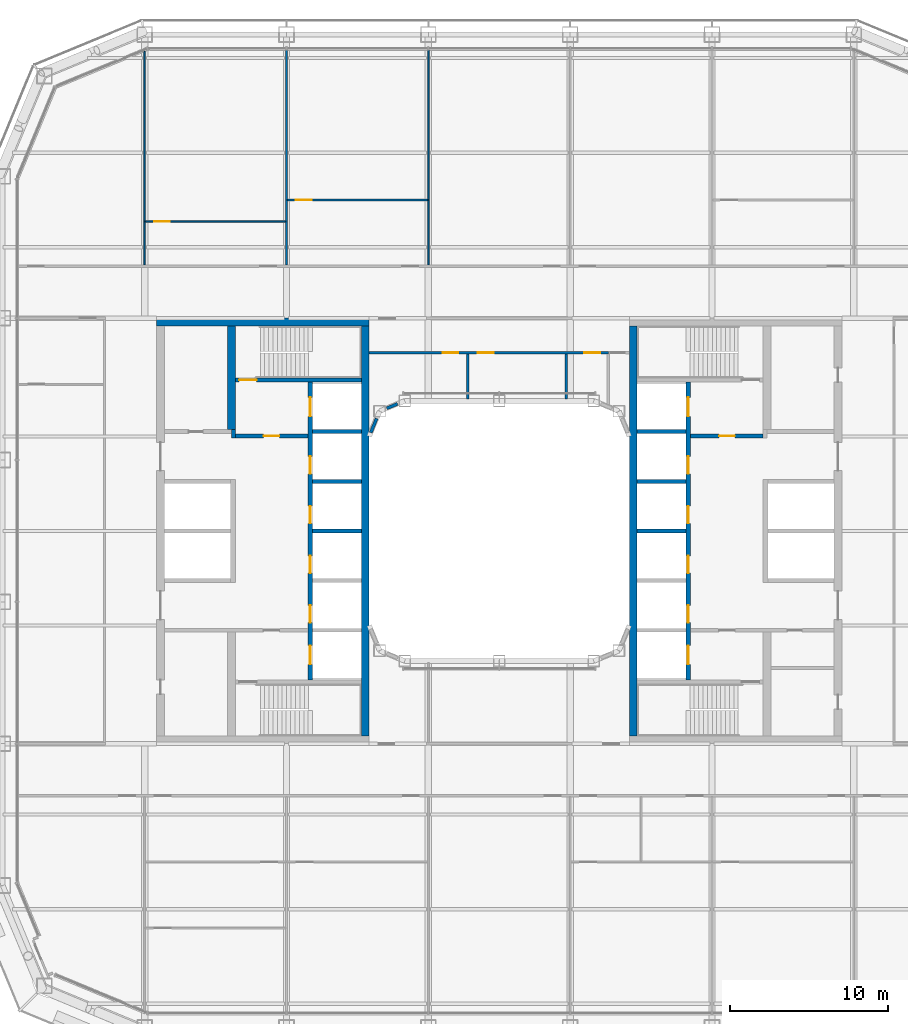
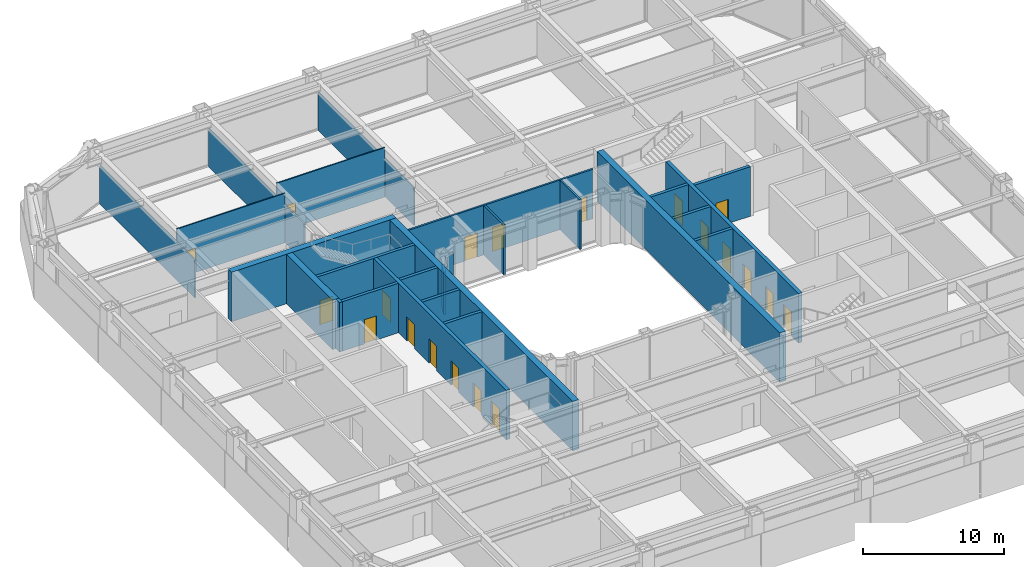
# One storey, part 15 of 27: 26 walls, 20 doors, 20 openings.
"""IFC4 building model written with IfcOpenShell, lengths in metres."""

import ifcopenshell
import ifcopenshell.guid

model = None  # the IFC model being written
_history = None  # IfcOwnerHistory: only IFC2X3 demands one
_inside = {}  # id of a spatial element -> (the spatial element, [elements in it])
_under = {}  # id of a project, library or spatial element -> (it, [spatial elements below it])
_declared = {}  # id of a project -> (the project, [libraries it declares])
_typed = {}  # id of a type object -> (the type object, [elements of that type])
_made_of = {}  # id of a material, layer set ... -> (it, [elements and type objects made of it])


def new_model(schema):
    """Start an empty IFC model of exactly this schema.

    Asked for "IFC4X3", IfcOpenShell would pick the latest addendum, in which some entities
    have other attributes; the version numbers below select the first issue.
    IFC2X3 requires an IfcOwnerHistory on every rooted entity: one is made here for all.
    """
    global model, _history
    if schema == "IFC4X3":
        model = ifcopenshell.file(schema_version=(4, 3, 0, 0))
    else:
        model = ifcopenshell.file(schema=schema)
    _inside.clear()
    _under.clear()
    _declared.clear()
    _typed.clear()
    _made_of.clear()
    _history = None
    if model.schema == "IFC2X3":
        org = make("IfcOrganization", Name="unknown")
        user = make(
            "IfcPersonAndOrganization",
            ThePerson=make("IfcPerson", FamilyName="unknown"),
            TheOrganization=org,
        )
        app = make(
            "IfcApplication",
            ApplicationDeveloper=org,
            Version="unknown",
            ApplicationFullName="unknown",
            ApplicationIdentifier="unknown",
        )
        _history = make(
            "IfcOwnerHistory",
            OwningUser=user,
            OwningApplication=app,
            ChangeAction="ADDED",
            CreationDate=0,
        )
    return model


def make(cls, **values):
    """One entity of the class cls with the attributes given. An attribute that is None is left unset."""
    return model.create_entity(
        cls, **{name: value for name, value in values.items() if value is not None}
    )


def rooted(cls, **values):
    """An entity with a GlobalId (a new one), such as an element, a storey or a relation."""
    return make(cls, GlobalId=ifcopenshell.guid.new(), OwnerHistory=_history, **values)


def si_unit(unit_type, name, prefix=None):
    """IfcSIUnit, for example si_unit("LENGTHUNIT", "METRE", prefix="MILLI")."""
    return make("IfcSIUnit", UnitType=unit_type, Prefix=prefix, Name=name)


def assignment(units):
    """IfcUnitAssignment: the units of a project."""
    return None if units is None else make("IfcUnitAssignment", Units=units)


def point(xyz):
    """IfcCartesianPoint."""
    return None if xyz is None else make("IfcCartesianPoint", Coordinates=xyz)


def direction(xyz):
    """IfcDirection."""
    return None if xyz is None else make("IfcDirection", DirectionRatios=xyz)


def frame(location, z_axis=None, x_axis=None):
    """IfcAxis2Placement3D, a coordinate frame: its origin and axes. An axis left out is left unset."""
    return make(
        "IfcAxis2Placement3D",
        Location=point(location),
        Axis=direction(z_axis),
        RefDirection=direction(x_axis),
    )


def frame_2d(location, x_axis=None):
    """IfcAxis2Placement2D, a coordinate frame in the plane: its origin and x axis."""
    return make(
        "IfcAxis2Placement2D", Location=point(location), RefDirection=direction(x_axis)
    )


def origin():
    """The frame at (0, 0, 0) with its axes left unset."""
    return frame((0.0, 0.0, 0.0))


def place(relative_to, where):
    """IfcLocalPlacement: puts the frame where relative to a parent placement (None: the world)."""
    return make(
        "IfcLocalPlacement", PlacementRelTo=relative_to, RelativePlacement=where
    )


def context(
    kind, dimensions, precision=None, world=None, true_north=None, identifier=None
):
    """IfcGeometricRepresentationContext, for example the 3D "Model" context."""
    return make(
        "IfcGeometricRepresentationContext",
        ContextIdentifier=identifier,
        ContextType=kind,
        CoordinateSpaceDimension=dimensions,
        Precision=precision,
        WorldCoordinateSystem=world,
        TrueNorth=true_north,
    )


def subcontext(parent, identifier, kind, view, scale=None):
    """IfcGeometricRepresentationSubContext, for example "Body" below "Model"."""
    return make(
        "IfcGeometricRepresentationSubContext",
        ContextIdentifier=identifier,
        ContextType=kind,
        ParentContext=parent,
        TargetScale=scale,
        TargetView=view,
    )


def project(units=None, contexts=None):
    """IfcProject with its units and contexts."""
    return rooted(
        "IfcProject",
        Name="project",
        RepresentationContexts=contexts,
        UnitsInContext=assignment(units),
    )


def spatial(cls, under=None, at=None, **own):
    """A site, building, storey or space (cls), placed at a placement, below another one or the project."""
    s = rooted(cls, ObjectPlacement=at, **own)
    if under is not None:
        _under.setdefault(under.id(), (under, []))[1].append(s)
    return s


def profile(cls, at=None, kind="AREA", **sizes):
    """A parametric profile (cls). Its sizes go by their IFC names, for example OverallWidth=200.0."""
    return make(cls, ProfileType=kind, Position=at, **sizes)


def rectangle(**sizes):
    """IfcRectangleProfileDef."""
    return profile("IfcRectangleProfileDef", **sizes)


def extrude(swept, where, along, depth):
    """IfcExtrudedAreaSolid: the profile swept, set in the frame where, extruded along a direction by depth."""
    return make(
        "IfcExtrudedAreaSolid",
        SweptArea=swept,
        Position=where,
        ExtrudedDirection=direction(along),
        Depth=depth,
    )


def shape(context_of_items, identifier, shape_type, items):
    """IfcShapeRepresentation: the items that make up one representation, for example the "Body"."""
    return make(
        "IfcShapeRepresentation",
        ContextOfItems=context_of_items,
        RepresentationIdentifier=identifier,
        RepresentationType=shape_type,
        Items=items,
    )


def material(Name=None, Category=None):
    """IfcMaterial."""
    return make("IfcMaterial", Name=Name, Category=Category)


def layer(
    of_material, thickness, ventilated=None, Name=None, Category=None, Priority=None
):
    """IfcMaterialLayer: one layer of a wall or slab, of a material (None: an air gap)."""
    return make(
        "IfcMaterialLayer",
        Material=of_material,
        LayerThickness=thickness,
        IsVentilated=ventilated,
        Name=Name,
        Category=Category,
        Priority=Priority,
    )


def layer_set(layers, Name=None):
    """IfcMaterialLayerSet."""
    return make("IfcMaterialLayerSet", MaterialLayers=layers, LayerSetName=Name)


def made_of(thing, what):
    """Note that an element or type object is made of a material, layer set ...; save() writes the relation."""
    if what is not None:
        _made_of.setdefault(what.id(), (what, []))[1].append(thing)
    return thing


def type_object(cls, material=None, **own):
    """A type object (cls), such as IfcWallType, which elements share."""
    return made_of(rooted(cls, **own), material)


def element(
    cls,
    number,
    at=None,
    inside=None,
    cuts=None,
    type_object=None,
    material=None,
    context=None,
    identifier="Body",
    shape_type=None,
    held_by="IfcProductDefinitionShape",
    body=None,
    shapes=None,
    **own,
):
    """One element of the class cls, such as IfcWall. Its Tag is "e" and its number.

    at: its placement. inside: the storey or other place that contains it. cuts: it is an
    opening in that element (IfcRelVoidsElement). A single representation is given by context,
    identifier, shape_type and body (its items); several are given by shapes. held_by: the class
    of the entity that holds the representations. save() writes the other relations.
    """
    e = rooted(cls, Tag="e%d" % number, ObjectPlacement=at, **own)
    if body is not None:
        shapes = [shape(context, identifier, shape_type, body)]
    if shapes is not None:
        e.Representation = make(held_by, Representations=shapes)
    if inside is not None:
        _inside.setdefault(inside.id(), (inside, []))[1].append(e)
    if cuts is not None:
        rooted(
            "IfcRelVoidsElement", RelatingBuildingElement=cuts, RelatedOpeningElement=e
        )
    if type_object is not None:
        _typed.setdefault(type_object.id(), (type_object, []))[1].append(e)
    return made_of(e, material)


def fill(opening, filler):
    """IfcRelFillsElement: the door or window that sits in an opening."""
    return rooted(
        "IfcRelFillsElement",
        RelatingOpeningElement=opening,
        RelatedBuildingElement=filler,
    )


def aggregate(whole, parts):
    """IfcRelAggregates: a whole, such as a stair, and the parts it consists of."""
    return rooted("IfcRelAggregates", RelatingObject=whole, RelatedObjects=parts)


def save(model, path):
    """Write the relations noted so far, then the file.

    IfcRelAggregates (storeys below a building ...), IfcRelContainedInSpatialStructure (elements
    in a storey), IfcRelDefinesByType, IfcRelAssociatesMaterial and IfcRelDeclares: one each for
    every whole, place, type object, material and project.
    """
    for whole, parts in _under.values():
        aggregate(whole, parts)
    for where, things in _inside.values():
        rooted(
            "IfcRelContainedInSpatialStructure",
            RelatedElements=things,
            RelatingStructure=where,
        )
    for kind, things in _typed.values():
        rooted("IfcRelDefinesByType", RelatedObjects=things, RelatingType=kind)
    for what, things in _made_of.values():
        rooted("IfcRelAssociatesMaterial", RelatedObjects=things, RelatingMaterial=what)
    for by, libraries in _declared.values():
        rooted("IfcRelDeclares", RelatingContext=by, RelatedDefinitions=libraries)
    model.write(path)


model = new_model("IFC4")

# Units and contexts
model_context = context("Model", 3, precision=1e-05, world=origin(), true_north=direction((0.0, 1.0)))
body_context = subcontext(model_context, "Body", "Model", "MODEL_VIEW")
ifc_project = project(units=[si_unit("LENGTHUNIT", "METRE"), si_unit("AREAUNIT", "SQUARE_METRE"), si_unit("VOLUMEUNIT", "CUBIC_METRE"), si_unit("PLANEANGLEUNIT", "RADIAN"), si_unit("MASSUNIT", "GRAM", prefix="KILO")], contexts=[model_context])

# Site, building, storey
site_placement = place(None, origin())
site = spatial("IfcSite", under=ifc_project, at=site_placement, CompositionType="ELEMENT")
building_placement = place(site_placement, origin())
building = spatial("IfcBuilding", under=site, at=building_placement, Name="Siwar Civic Tower", CompositionType="ELEMENT")
storey_placement = place(building_placement, frame((0.0, 0.0, 89.699951171875)))
storey = spatial("IfcBuildingStorey", under=building, at=storey_placement, Name="L19", CompositionType="ELEMENT", Elevation=89.699951171875)

# Wall, opening, door
ifc_material_1 = material(Name="Concrete C60/75", Category="concrete")
ifc_layer_1 = layer(ifc_material_1, 0.25)
ifc_layer_set_1 = layer_set([ifc_layer_1], Name="Concrete C60/75")
wall_type_1 = type_object("IfcWallType", Name="CORE-WALL-RC250", PredefinedType="SHEAR", material=ifc_layer_set_1)
wall_1_placement = place(storey_placement, frame((-12.14990234375, 6.02490234375, 0.0), z_axis=(0.0, 0.0, 1.0), x_axis=(-1.0, 0.0, 0.0)))
wall_1 = element("IfcWall", 1, at=wall_1_placement, inside=storey, type_object=wall_type_1, Name="Core wall W", PredefinedType="SHEAR", context=body_context, shape_type="SweptSolid", body=[
    extrude(rectangle(XDim=4.60009765625, YDim=0.25, at=frame_2d((2.300048828125, 0.0))), origin(), (0.0, 0.0, 1.0), 4.300048828125),
])
opening_1_placement = place(wall_1_placement, frame((1.800048828125, 0.0, 0.0)))
opening_1 = element("IfcOpeningElement", 2, at=opening_1_placement, cuts=wall_1, Name="Opening L19-CW01", PredefinedType="OPENING", context=body_context, shape_type="SweptSolid", body=[
    extrude(rectangle(XDim=1.0, YDim=2.10009765625, at=frame_2d((0.5, 1.050048828125))), frame((0.0, 0.135009765625, 0.0), z_axis=(0.0, -1.0, 0.0), x_axis=(1.0, 0.0, 0.0)), (0.0, 0.0, 1.0), 0.27001953125),
])
ifc_material_2 = material(Name="Steel door leaf", Category="steel")
door_type_1 = type_object("IfcDoorType", Name="CORE-DOOR-FD30S", OperationType="SINGLE_SWING_LEFT", PredefinedType="DOOR", material=ifc_material_2)
door_1_placement = place(opening_1_placement, origin())
door_1 = element("IfcDoor", 3, at=door_1_placement, inside=storey, type_object=door_type_1, Name="Firefighting lobby door L19-CW01", OperationType="SINGLE_SWING_LEFT", OverallHeight=2.10009765625, OverallWidth=1.0, PredefinedType="DOOR", context=body_context, shape_type="SweptSolid", body=[
    extrude(rectangle(XDim=1.0, YDim=2.10009765625, at=frame_2d((0.5, 1.050048828125))), frame((0.0, 0.02490234375, 0.0), z_axis=(0.0, -1.0, 0.0), x_axis=(1.0, 0.0, 0.0)), (0.0, 0.0, 1.0), 0.050048828125),
])
fill(opening_1, door_1)

# Walls
wall_2_placement = place(storey_placement, frame((-16.875, 5.89990234375, 0.0), z_axis=(0.0, 0.0, 1.0), x_axis=(0.0, 1.0, 0.0)))
element("IfcWall", 4, at=wall_2_placement, inside=storey, type_object=wall_type_1, Name="Core wall W", PredefinedType="SHEAR", context=body_context, shape_type="SweptSolid", body=[
    extrude(rectangle(XDim=0.525146484375, YDim=0.25, at=frame_2d((0.2626953125, 0.0))), origin(), (0.0, 0.0, 1.0), 4.300048828125),
])
for number, where, z_axis, x_axis, name in (
    (5, (-8.75, 0.0, 0.0), (0.0, 0.0, 1.0), (-1.0, 0.0, 0.0), "Core wall W"),
    (6, (-8.75, 3.14990234375, 0.0), (0.0, 0.0, 1.0), (-1.0, 0.0, 0.0), "Core wall W"),
    (7, (-8.75, 6.300048828125, 0.0), (0.0, 0.0, 1.0), (-1.0, 0.0, 0.0), "Core wall W"),
):
    element("IfcWall", number, at=place(storey_placement, frame(where, z_axis=z_axis, x_axis=x_axis)), inside=storey, type_object=wall_type_1, Name=name, PredefinedType="SHEAR", context=body_context, shape_type="SweptSolid", body=[
        extrude(rectangle(XDim=3.10009765625, YDim=0.25, at=frame_2d((1.550048828125, 0.0))), origin(), (0.0, 0.0, 1.0), 4.300048828125),
    ])

# Wall, opening, door
wall_3_placement = place(storey_placement, frame((-8.75, 9.574951171875, 0.0), z_axis=(0.0, 0.0, 1.0), x_axis=(-1.0, 0.0, 0.0)))
wall_3 = element("IfcWall", 8, at=wall_3_placement, inside=storey, type_object=wall_type_1, Name="Core wall W", PredefinedType="SHEAR", context=body_context, shape_type="SweptSolid", body=[
    extrude(rectangle(XDim=8.0, YDim=0.25, at=frame_2d((4.0, 0.0))), origin(), (0.0, 0.0, 1.0), 4.300048828125),
])
opening_2_placement = place(wall_3_placement, frame((6.64990234375, 0.0, 0.0)))
opening_2 = element("IfcOpeningElement", 9, at=opening_2_placement, cuts=wall_3, Name="Opening L19-CW03", PredefinedType="OPENING", context=body_context, shape_type="SweptSolid", body=[
    extrude(rectangle(XDim=1.10009765625, YDim=2.10009765625, at=frame_2d((0.550048828125, 1.050048828125))), frame((0.0, 0.135009765625, 0.0), z_axis=(0.0, -1.0, 0.0), x_axis=(1.0, 0.0, 0.0)), (0.0, 0.0, 1.0), 0.27001953125),
])
ifc_material_3 = material(Name="Steel door leaf", Category="steel")
door_type_2 = type_object("IfcDoorType", Name="CORE-DOOR-FD60S", OperationType="SINGLE_SWING_LEFT", PredefinedType="DOOR", material=ifc_material_3)
door_2_placement = place(opening_2_placement, origin())
door_2 = element("IfcDoor", 10, at=door_2_placement, inside=storey, type_object=door_type_2, Name="Stair door L19-CW03", OperationType="SINGLE_SWING_RIGHT", OverallHeight=2.10009765625, OverallWidth=1.10009765625, PredefinedType="DOOR", context=body_context, shape_type="SweptSolid", body=[
    extrude(rectangle(XDim=1.10009765625, YDim=2.10009765625, at=frame_2d((0.550048828125, 1.050048828125))), frame((0.0, 0.02490234375, 0.0), z_axis=(0.0, -1.0, 0.0), x_axis=(1.0, 0.0, 0.0)), (0.0, 0.0, 1.0), 0.050048828125),
])
fill(opening_2, door_2)

wall_4_placement = place(storey_placement, frame((12.14990234375, 6.02490234375, 0.0), z_axis=(0.0, 0.0, 1.0), x_axis=(1.0, 0.0, 0.0)))
wall_4 = element("IfcWall", 11, at=wall_4_placement, inside=storey, type_object=wall_type_1, Name="Core wall E", PredefinedType="SHEAR", context=body_context, shape_type="SweptSolid", body=[
    extrude(rectangle(XDim=4.60009765625, YDim=0.25, at=frame_2d((2.300048828125, 0.0))), origin(), (0.0, 0.0, 1.0), 4.300048828125),
])
opening_3_placement = place(wall_4_placement, frame((1.800048828125, 0.0, 0.0)))
opening_3 = element("IfcOpeningElement", 12, at=opening_3_placement, cuts=wall_4, Name="Opening L19-CE01", PredefinedType="OPENING", context=body_context, shape_type="SweptSolid", body=[
    extrude(rectangle(XDim=1.0, YDim=2.10009765625, at=frame_2d((0.5, 1.050048828125))), frame((0.0, 0.135009765625, 0.0), z_axis=(0.0, -1.0, 0.0), x_axis=(1.0, 0.0, 0.0)), (0.0, 0.0, 1.0), 0.27001953125),
])
door_3_placement = place(opening_3_placement, origin())
door_3 = element("IfcDoor", 13, at=door_3_placement, inside=storey, type_object=door_type_1, Name="Firefighting lobby door L19-CE01", OperationType="SINGLE_SWING_RIGHT", OverallHeight=2.10009765625, OverallWidth=1.0, PredefinedType="DOOR", context=body_context, shape_type="SweptSolid", body=[
    extrude(rectangle(XDim=1.0, YDim=2.10009765625, at=frame_2d((0.5, 1.050048828125))), frame((0.0, 0.02490234375, 0.0), z_axis=(0.0, -1.0, 0.0), x_axis=(1.0, 0.0, 0.0)), (0.0, 0.0, 1.0), 0.050048828125),
])
fill(opening_3, door_3)

# Walls
for number, where, z_axis, x_axis, name in (
    (14, (8.75, 0.0, 0.0), (0.0, 0.0, 1.0), (1.0, 0.0, 0.0), "Core wall E"),
    (15, (8.75, 3.14990234375, 0.0), (0.0, 0.0, 1.0), (1.0, 0.0, 0.0), "Core wall E"),
    (16, (8.75, 6.300048828125, 0.0), (0.0, 0.0, 1.0), (1.0, 0.0, 0.0), "Core wall E"),
):
    element("IfcWall", number, at=place(storey_placement, frame(where, z_axis=z_axis, x_axis=x_axis)), inside=storey, type_object=wall_type_1, Name=name, PredefinedType="SHEAR", context=body_context, shape_type="SweptSolid", body=[
        extrude(rectangle(XDim=3.10009765625, YDim=0.25, at=frame_2d((1.550048828125, 0.0))), origin(), (0.0, 0.0, 1.0), 4.300048828125),
    ])

# Wall, openings, doors
ifc_material_4 = material(Name="Concrete C60/75", Category="concrete")
ifc_layer_2 = layer(ifc_material_4, 0.300048828125)
ifc_layer_set_2 = layer_set([ifc_layer_2], Name="Concrete C60/75")
wall_type_2 = type_object("IfcWallType", Name="CORE-WALL-RC300", PredefinedType="SHEAR", material=ifc_layer_set_2)
wall_5_placement = place(storey_placement, frame((-12.0, -9.449951171875, 0.0), z_axis=(0.0, 0.0, 1.0), x_axis=(0.0, 1.0, 0.0)))
wall_5 = element("IfcWall", 17, at=wall_5_placement, inside=storey, type_object=wall_type_2, Name="Core wall W", PredefinedType="SHEAR", context=body_context, shape_type="SweptSolid", body=[
    extrude(rectangle(XDim=18.89990234375, YDim=0.300048828125, at=frame_2d((9.449951171875, 0.0))), origin(), (0.0, 0.0, 1.0), 4.300048828125),
])
opening_4_placement = place(wall_5_placement, frame((3.625, 0.0, 0.0)))
opening_4 = element("IfcOpeningElement", 18, at=opening_4_placement, cuts=wall_5, Name="Opening L19-CW07", PredefinedType="OPENING", context=body_context, shape_type="SweptSolid", body=[
    extrude(rectangle(XDim=1.10009765625, YDim=2.10009765625, at=frame_2d((0.550048828125, 1.050048828125))), frame((0.0, 0.16015625, 0.0), z_axis=(0.0, -1.0, 0.0), x_axis=(1.0, 0.0, 0.0)), (0.0, 0.0, 1.0), 0.320068359375),
])
opening_5_placement = place(wall_5_placement, frame((6.77490234375, 0.0, 0.0)))
opening_5 = element("IfcOpeningElement", 19, at=opening_5_placement, cuts=wall_5, Name="Opening L19-CW08", PredefinedType="OPENING", context=body_context, shape_type="SweptSolid", body=[
    extrude(rectangle(XDim=1.10009765625, YDim=2.10009765625, at=frame_2d((0.550048828125, 1.050048828125))), frame((0.0, 0.16015625, 0.0), z_axis=(0.0, -1.0, 0.0), x_axis=(1.0, 0.0, 0.0)), (0.0, 0.0, 1.0), 0.320068359375),
])
opening_6_placement = place(wall_5_placement, frame((9.925048828125, 0.0, 0.0)))
opening_6 = element("IfcOpeningElement", 20, at=opening_6_placement, cuts=wall_5, Name="Opening L19-CW09", PredefinedType="OPENING", context=body_context, shape_type="SweptSolid", body=[
    extrude(rectangle(XDim=1.10009765625, YDim=2.10009765625, at=frame_2d((0.550048828125, 1.050048828125))), frame((0.0, 0.16015625, 0.0), z_axis=(0.0, -1.0, 0.0), x_axis=(1.0, 0.0, 0.0)), (0.0, 0.0, 1.0), 0.320068359375),
])
opening_7_placement = place(wall_5_placement, frame((13.074951171875, 0.0, 0.0)))
opening_7 = element("IfcOpeningElement", 21, at=opening_7_placement, cuts=wall_5, Name="Opening L19-CW10", PredefinedType="OPENING", context=body_context, shape_type="SweptSolid", body=[
    extrude(rectangle(XDim=1.10009765625, YDim=2.10009765625, at=frame_2d((0.550048828125, 1.050048828125))), frame((0.0, 0.16015625, 0.0), z_axis=(0.0, -1.0, 0.0), x_axis=(1.0, 0.0, 0.0)), (0.0, 0.0, 1.0), 0.320068359375),
])
opening_8_placement = place(wall_5_placement, frame((16.72509765625, 0.0, 0.0)))
opening_8 = element("IfcOpeningElement", 22, at=opening_8_placement, cuts=wall_5, Name="Opening L19-CW11", PredefinedType="OPENING", context=body_context, shape_type="SweptSolid", body=[
    extrude(rectangle(XDim=1.199951171875, YDim=2.10009765625, at=frame_2d((0.60009765625, 1.050048828125))), frame((0.0, 0.16015625, 0.0), z_axis=(0.0, -1.0, 0.0), x_axis=(1.0, 0.0, 0.0)), (0.0, 0.0, 1.0), 0.320068359375),
])
opening_9_placement = place(wall_5_placement, frame((0.97509765625, 0.0, 0.0)))
opening_9 = element("IfcOpeningElement", 23, at=opening_9_placement, cuts=wall_5, Name="Opening L19-CW12", PredefinedType="OPENING", context=body_context, shape_type="SweptSolid", body=[
    extrude(rectangle(XDim=1.199951171875, YDim=2.10009765625, at=frame_2d((0.60009765625, 1.050048828125))), frame((0.0, 0.16015625, 0.0), z_axis=(0.0, -1.0, 0.0), x_axis=(1.0, 0.0, 0.0)), (0.0, 0.0, 1.0), 0.320068359375),
])
ifc_material_5 = material(Name="Steel door leaf", Category="steel")
door_type_3 = type_object("IfcDoorType", Name="CORE-DOOR-LD", OperationType="DOUBLE_DOOR_SLIDING", PredefinedType="DOOR", material=ifc_material_5)
door_4_placement = place(opening_4_placement, origin())
door_4 = element("IfcDoor", 24, at=door_4_placement, inside=storey, type_object=door_type_3, Name="Landing door LR1 L19-CW07", OperationType="DOUBLE_DOOR_SLIDING", OverallHeight=2.10009765625, OverallWidth=1.10009765625, PredefinedType="DOOR", context=body_context, shape_type="SweptSolid", body=[
    extrude(rectangle(XDim=1.10009765625, YDim=2.10009765625, at=frame_2d((0.550048828125, 1.050048828125))), frame((0.0, 0.02490234375, 0.0), z_axis=(0.0, -1.0, 0.0), x_axis=(1.0, 0.0, 0.0)), (0.0, 0.0, 1.0), 0.050048828125),
])
fill(opening_4, door_4)
door_5_placement = place(opening_5_placement, origin())
door_5 = element("IfcDoor", 25, at=door_5_placement, inside=storey, type_object=door_type_3, Name="Landing door LR2 L19-CW08", OperationType="DOUBLE_DOOR_SLIDING", OverallHeight=2.10009765625, OverallWidth=1.10009765625, PredefinedType="DOOR", context=body_context, shape_type="SweptSolid", body=[
    extrude(rectangle(XDim=1.10009765625, YDim=2.10009765625, at=frame_2d((0.550048828125, 1.050048828125))), frame((0.0, 0.02490234375, 0.0), z_axis=(0.0, -1.0, 0.0), x_axis=(1.0, 0.0, 0.0)), (0.0, 0.0, 1.0), 0.050048828125),
])
fill(opening_5, door_5)
door_6_placement = place(opening_6_placement, origin())
door_6 = element("IfcDoor", 26, at=door_6_placement, inside=storey, type_object=door_type_3, Name="Landing door LR3 L19-CW09", OperationType="DOUBLE_DOOR_SLIDING", OverallHeight=2.10009765625, OverallWidth=1.10009765625, PredefinedType="DOOR", context=body_context, shape_type="SweptSolid", body=[
    extrude(rectangle(XDim=1.10009765625, YDim=2.10009765625, at=frame_2d((0.550048828125, 1.050048828125))), frame((0.0, 0.02490234375, 0.0), z_axis=(0.0, -1.0, 0.0), x_axis=(1.0, 0.0, 0.0)), (0.0, 0.0, 1.0), 0.050048828125),
])
fill(opening_6, door_6)
door_7_placement = place(opening_7_placement, origin())
door_7 = element("IfcDoor", 27, at=door_7_placement, inside=storey, type_object=door_type_3, Name="Landing door LR4 L19-CW10", OperationType="DOUBLE_DOOR_SLIDING", OverallHeight=2.10009765625, OverallWidth=1.10009765625, PredefinedType="DOOR", context=body_context, shape_type="SweptSolid", body=[
    extrude(rectangle(XDim=1.10009765625, YDim=2.10009765625, at=frame_2d((0.550048828125, 1.050048828125))), frame((0.0, 0.02490234375, 0.0), z_axis=(0.0, -1.0, 0.0), x_axis=(1.0, 0.0, 0.0)), (0.0, 0.0, 1.0), 0.050048828125),
])
fill(opening_7, door_7)
ifc_material_6 = material(Name="Steel door leaf", Category="steel")
door_type_4 = type_object("IfcDoorType", Name="CORE-DOOR-LDW", OperationType="DOUBLE_DOOR_SLIDING", PredefinedType="DOOR", material=ifc_material_6)
door_8_placement = place(opening_8_placement, origin())
door_8 = element("IfcDoor", 28, at=door_8_placement, inside=storey, type_object=door_type_4, Name="Landing door FF1 L19-CW11", OperationType="DOUBLE_DOOR_SLIDING", OverallHeight=2.10009765625, OverallWidth=1.199951171875, PredefinedType="DOOR", context=body_context, shape_type="SweptSolid", body=[
    extrude(rectangle(XDim=1.199951171875, YDim=2.10009765625, at=frame_2d((0.60009765625, 1.050048828125))), frame((0.0, 0.02490234375, 0.0), z_axis=(0.0, -1.0, 0.0), x_axis=(1.0, 0.0, 0.0)), (0.0, 0.0, 1.0), 0.050048828125),
])
fill(opening_8, door_8)
door_9_placement = place(opening_9_placement, origin())
door_9 = element("IfcDoor", 29, at=door_9_placement, inside=storey, type_object=door_type_4, Name="Landing door SV1 L19-CW12", OperationType="DOUBLE_DOOR_SLIDING", OverallHeight=2.10009765625, OverallWidth=1.199951171875, PredefinedType="DOOR", context=body_context, shape_type="SweptSolid", body=[
    extrude(rectangle(XDim=1.199951171875, YDim=2.10009765625, at=frame_2d((0.60009765625, 1.050048828125))), frame((0.0, 0.02490234375, 0.0), z_axis=(0.0, -1.0, 0.0), x_axis=(1.0, 0.0, 0.0)), (0.0, 0.0, 1.0), 0.050048828125),
])
fill(opening_9, door_9)

wall_6_placement = place(storey_placement, frame((12.0, -9.449951171875, 0.0), z_axis=(0.0, 0.0, 1.0), x_axis=(0.0, 1.0, 0.0)))
wall_6 = element("IfcWall", 30, at=wall_6_placement, inside=storey, type_object=wall_type_2, Name="Core wall E", PredefinedType="SHEAR", context=body_context, shape_type="SweptSolid", body=[
    extrude(rectangle(XDim=18.89990234375, YDim=0.300048828125, at=frame_2d((9.449951171875, 0.0))), origin(), (0.0, 0.0, 1.0), 4.300048828125),
])
opening_10_placement = place(wall_6_placement, frame((3.625, 0.0, 0.0)))
opening_10 = element("IfcOpeningElement", 31, at=opening_10_placement, cuts=wall_6, Name="Opening L19-CE07", PredefinedType="OPENING", context=body_context, shape_type="SweptSolid", body=[
    extrude(rectangle(XDim=1.10009765625, YDim=2.10009765625, at=frame_2d((0.550048828125, 1.050048828125))), frame((0.0, 0.16015625, 0.0), z_axis=(0.0, -1.0, 0.0), x_axis=(1.0, 0.0, 0.0)), (0.0, 0.0, 1.0), 0.320068359375),
])
opening_11_placement = place(wall_6_placement, frame((6.77490234375, 0.0, 0.0)))
opening_11 = element("IfcOpeningElement", 32, at=opening_11_placement, cuts=wall_6, Name="Opening L19-CE08", PredefinedType="OPENING", context=body_context, shape_type="SweptSolid", body=[
    extrude(rectangle(XDim=1.10009765625, YDim=2.10009765625, at=frame_2d((0.550048828125, 1.050048828125))), frame((0.0, 0.16015625, 0.0), z_axis=(0.0, -1.0, 0.0), x_axis=(1.0, 0.0, 0.0)), (0.0, 0.0, 1.0), 0.320068359375),
])
opening_12_placement = place(wall_6_placement, frame((9.925048828125, 0.0, 0.0)))
opening_12 = element("IfcOpeningElement", 33, at=opening_12_placement, cuts=wall_6, Name="Opening L19-CE09", PredefinedType="OPENING", context=body_context, shape_type="SweptSolid", body=[
    extrude(rectangle(XDim=1.10009765625, YDim=2.10009765625, at=frame_2d((0.550048828125, 1.050048828125))), frame((0.0, 0.16015625, 0.0), z_axis=(0.0, -1.0, 0.0), x_axis=(1.0, 0.0, 0.0)), (0.0, 0.0, 1.0), 0.320068359375),
])
opening_13_placement = place(wall_6_placement, frame((13.074951171875, 0.0, 0.0)))
opening_13 = element("IfcOpeningElement", 34, at=opening_13_placement, cuts=wall_6, Name="Opening L19-CE10", PredefinedType="OPENING", context=body_context, shape_type="SweptSolid", body=[
    extrude(rectangle(XDim=1.10009765625, YDim=2.10009765625, at=frame_2d((0.550048828125, 1.050048828125))), frame((0.0, 0.16015625, 0.0), z_axis=(0.0, -1.0, 0.0), x_axis=(1.0, 0.0, 0.0)), (0.0, 0.0, 1.0), 0.320068359375),
])
opening_14_placement = place(wall_6_placement, frame((16.72509765625, 0.0, 0.0)))
opening_14 = element("IfcOpeningElement", 35, at=opening_14_placement, cuts=wall_6, Name="Opening L19-CE11", PredefinedType="OPENING", context=body_context, shape_type="SweptSolid", body=[
    extrude(rectangle(XDim=1.199951171875, YDim=2.10009765625, at=frame_2d((0.60009765625, 1.050048828125))), frame((0.0, 0.16015625, 0.0), z_axis=(0.0, -1.0, 0.0), x_axis=(1.0, 0.0, 0.0)), (0.0, 0.0, 1.0), 0.320068359375),
])
opening_15_placement = place(wall_6_placement, frame((0.97509765625, 0.0, 0.0)))
opening_15 = element("IfcOpeningElement", 36, at=opening_15_placement, cuts=wall_6, Name="Opening L19-CE12", PredefinedType="OPENING", context=body_context, shape_type="SweptSolid", body=[
    extrude(rectangle(XDim=1.199951171875, YDim=2.10009765625, at=frame_2d((0.60009765625, 1.050048828125))), frame((0.0, 0.16015625, 0.0), z_axis=(0.0, -1.0, 0.0), x_axis=(1.0, 0.0, 0.0)), (0.0, 0.0, 1.0), 0.320068359375),
])
door_10_placement = place(opening_10_placement, origin())
door_10 = element("IfcDoor", 37, at=door_10_placement, inside=storey, type_object=door_type_3, Name="Landing door LR5 L19-CE07", OperationType="DOUBLE_DOOR_SLIDING", OverallHeight=2.10009765625, OverallWidth=1.10009765625, PredefinedType="DOOR", context=body_context, shape_type="SweptSolid", body=[
    extrude(rectangle(XDim=1.10009765625, YDim=2.10009765625, at=frame_2d((0.550048828125, 1.050048828125))), frame((0.0, 0.02490234375, 0.0), z_axis=(0.0, -1.0, 0.0), x_axis=(1.0, 0.0, 0.0)), (0.0, 0.0, 1.0), 0.050048828125),
])
fill(opening_10, door_10)
door_11_placement = place(opening_11_placement, origin())
door_11 = element("IfcDoor", 38, at=door_11_placement, inside=storey, type_object=door_type_3, Name="Landing door LR6 L19-CE08", OperationType="DOUBLE_DOOR_SLIDING", OverallHeight=2.10009765625, OverallWidth=1.10009765625, PredefinedType="DOOR", context=body_context, shape_type="SweptSolid", body=[
    extrude(rectangle(XDim=1.10009765625, YDim=2.10009765625, at=frame_2d((0.550048828125, 1.050048828125))), frame((0.0, 0.02490234375, 0.0), z_axis=(0.0, -1.0, 0.0), x_axis=(1.0, 0.0, 0.0)), (0.0, 0.0, 1.0), 0.050048828125),
])
fill(opening_11, door_11)
door_12_placement = place(opening_12_placement, origin())
door_12 = element("IfcDoor", 39, at=door_12_placement, inside=storey, type_object=door_type_3, Name="Landing door LR7 L19-CE09", OperationType="DOUBLE_DOOR_SLIDING", OverallHeight=2.10009765625, OverallWidth=1.10009765625, PredefinedType="DOOR", context=body_context, shape_type="SweptSolid", body=[
    extrude(rectangle(XDim=1.10009765625, YDim=2.10009765625, at=frame_2d((0.550048828125, 1.050048828125))), frame((0.0, 0.02490234375, 0.0), z_axis=(0.0, -1.0, 0.0), x_axis=(1.0, 0.0, 0.0)), (0.0, 0.0, 1.0), 0.050048828125),
])
fill(opening_12, door_12)
door_13_placement = place(opening_13_placement, origin())
door_13 = element("IfcDoor", 40, at=door_13_placement, inside=storey, type_object=door_type_3, Name="Landing door LR8 L19-CE10", OperationType="DOUBLE_DOOR_SLIDING", OverallHeight=2.10009765625, OverallWidth=1.10009765625, PredefinedType="DOOR", context=body_context, shape_type="SweptSolid", body=[
    extrude(rectangle(XDim=1.10009765625, YDim=2.10009765625, at=frame_2d((0.550048828125, 1.050048828125))), frame((0.0, 0.02490234375, 0.0), z_axis=(0.0, -1.0, 0.0), x_axis=(1.0, 0.0, 0.0)), (0.0, 0.0, 1.0), 0.050048828125),
])
fill(opening_13, door_13)
door_14_placement = place(opening_14_placement, origin())
door_14 = element("IfcDoor", 41, at=door_14_placement, inside=storey, type_object=door_type_4, Name="Landing door FF2 L19-CE11", OperationType="DOUBLE_DOOR_SLIDING", OverallHeight=2.10009765625, OverallWidth=1.199951171875, PredefinedType="DOOR", context=body_context, shape_type="SweptSolid", body=[
    extrude(rectangle(XDim=1.199951171875, YDim=2.10009765625, at=frame_2d((0.60009765625, 1.050048828125))), frame((0.0, 0.02490234375, 0.0), z_axis=(0.0, -1.0, 0.0), x_axis=(1.0, 0.0, 0.0)), (0.0, 0.0, 1.0), 0.050048828125),
])
fill(opening_14, door_14)
door_15_placement = place(opening_15_placement, origin())
door_15 = element("IfcDoor", 42, at=door_15_placement, inside=storey, type_object=door_type_4, Name="Landing door SV2 L19-CE12", OperationType="DOUBLE_DOOR_SLIDING", OverallHeight=2.10009765625, OverallWidth=1.199951171875, PredefinedType="DOOR", context=body_context, shape_type="SweptSolid", body=[
    extrude(rectangle(XDim=1.199951171875, YDim=2.10009765625, at=frame_2d((0.60009765625, 1.050048828125))), frame((0.0, 0.02490234375, 0.0), z_axis=(0.0, -1.0, 0.0), x_axis=(1.0, 0.0, 0.0)), (0.0, 0.0, 1.0), 0.050048828125),
])
fill(opening_15, door_15)

# Walls
ifc_material_7 = material(Name="Concrete C60/75", Category="concrete")
ifc_layer_3 = layer(ifc_material_7, 0.5)
ifc_layer_set_3 = layer_set([ifc_layer_3], Name="Concrete C60/75")
wall_type_3 = type_object("IfcWallType", Name="CORE-WALL-RC500", PredefinedType="SHEAR", material=ifc_layer_set_3)
wall_7_placement = place(storey_placement, frame((-17.0, 6.425048828125, 0.0), z_axis=(0.0, 0.0, 1.0), x_axis=(0.0, 1.0, 0.0)))
element("IfcWall", 43, at=wall_7_placement, inside=storey, type_object=wall_type_3, Name="Core wall W", PredefinedType="SHEAR", context=body_context, shape_type="SweptSolid", body=[
    extrude(rectangle(XDim=6.574951171875, YDim=0.5, at=frame_2d((3.28759765625, 0.0))), origin(), (0.0, 0.0, 1.0), 4.300048828125),
])
wall_8_placement = place(storey_placement, frame((-8.25, 13.25, 0.0), z_axis=(0.0, 0.0, 1.0), x_axis=(-1.0, 0.0, 0.0)))
element("IfcWall", 44, at=wall_8_placement, inside=storey, type_object=wall_type_3, Name="Core wall W", PredefinedType="SHEAR", context=body_context, shape_type="SweptSolid", body=[
    extrude(rectangle(XDim=13.5, YDim=0.5, at=frame_2d((6.75, 0.0))), origin(), (0.0, 0.0, 1.0), 4.300048828125),
])
ifc_material_8 = material(Name="Concrete C60/75", Category="concrete")
ifc_layer_4 = layer(ifc_material_8, 0.5)
ifc_layer_set_4 = layer_set([ifc_layer_4], Name="Concrete C60/75")
wall_type_4 = type_object("IfcWallType", Name="CORE-WALL-RC500-EXT", PredefinedType="SHEAR", material=ifc_layer_set_4)
for number, where, z_axis, x_axis, name in (
    (45, (-8.5, -13.0, 0.0), (0.0, 0.0, 1.0), (0.0, 1.0, 0.0), "Core wall W"),
    (46, (8.5, -13.0, 0.0), (0.0, 0.0, 1.0), (0.0, 1.0, 0.0), "Core wall E"),
):
    element("IfcWall", number, at=place(storey_placement, frame(where, z_axis=z_axis, x_axis=x_axis)), inside=storey, type_object=wall_type_4, Name=name, PredefinedType="SHEAR", context=body_context, shape_type="SweptSolid", body=[
        extrude(rectangle(XDim=26.0, YDim=0.5, at=frame_2d((13.0, 0.0))), origin(), (0.0, 0.0, 1.0), 4.300048828125),
    ])

# Wall, openings, doors
ifc_material_9 = material(Name="Gypsum board on steel studs", Category="steel")
ifc_layer_5 = layer(ifc_material_9, 0.14990234375)
ifc_layer_set_5 = layer_set([ifc_layer_5], Name="Gypsum board on steel studs")
wall_type_5 = type_object("IfcWallType", Name="CORRIDOR PARTITION 150 EI 30", PredefinedType="PARTITIONING", material=ifc_layer_set_5)
wall_9_placement = place(storey_placement, frame((-8.25, 11.300048828125, 0.0), z_axis=(0.0, 0.0, 1.0), x_axis=(1.0, 0.0, 0.0)))
wall_9 = element("IfcWall", 47, at=wall_9_placement, inside=storey, type_object=wall_type_5, Name="L19/wall/P09", PredefinedType="PARTITIONING", context=body_context, shape_type="SweptSolid", body=[
    extrude(rectangle(XDim=15.169921875, YDim=0.14990234375, at=frame_2d((7.5849609375, 0.0))), origin(), (0.0, 0.0, 1.0), 4.300048828125),
])
opening_16_placement = place(wall_9_placement, frame((4.64990234375, 0.0, 0.0)))
opening_16 = element("IfcOpeningElement", 48, at=opening_16_placement, cuts=wall_9, Name="Opening D3", PredefinedType="OPENING", context=body_context, shape_type="SweptSolid", body=[
    extrude(rectangle(XDim=1.0, YDim=2.10009765625, at=frame_2d((0.5, 1.050048828125))), frame((0.0, 0.0849609375, 0.0), z_axis=(0.0, -1.0, 0.0), x_axis=(1.0, 0.0, 0.0)), (0.0, 0.0, 1.0), 0.169921875),
])
opening_17_placement = place(wall_9_placement, frame((6.89990234375, 0.0, 0.0)))
opening_17 = element("IfcOpeningElement", 49, at=opening_17_placement, cuts=wall_9, Name="Opening D3", PredefinedType="OPENING", context=body_context, shape_type="SweptSolid", body=[
    extrude(rectangle(XDim=1.0, YDim=2.10009765625, at=frame_2d((0.5, 1.050048828125))), frame((0.0, 0.0849609375, 0.0), z_axis=(0.0, -1.0, 0.0), x_axis=(1.0, 0.0, 0.0)), (0.0, 0.0, 1.0), 0.169921875),
])
opening_18_placement = place(wall_9_placement, frame((13.64990234375, 0.0, 0.0)))
opening_18 = element("IfcOpeningElement", 50, at=opening_18_placement, cuts=wall_9, Name="Opening D3", PredefinedType="OPENING", context=body_context, shape_type="SweptSolid", body=[
    extrude(rectangle(XDim=1.0, YDim=2.10009765625, at=frame_2d((0.5, 1.050048828125))), frame((0.0, 0.0849609375, 0.0), z_axis=(0.0, -1.0, 0.0), x_axis=(1.0, 0.0, 0.0)), (0.0, 0.0, 1.0), 0.169921875),
])
ifc_material_10 = material(Name="Timber, painted", Category="wood")
door_type_5 = type_object("IfcDoorType", Name="DOOR 1000 X 2100 WC", OperationType="SINGLE_SWING_LEFT", PredefinedType="DOOR", material=ifc_material_10)
door_16_placement = place(opening_16_placement, origin())
door_16 = element("IfcDoor", 51, at=door_16_placement, inside=storey, type_object=door_type_5, Name="L19-D28", OperationType="SINGLE_SWING_RIGHT", OverallHeight=2.10009765625, OverallWidth=1.0, PredefinedType="DOOR", context=body_context, shape_type="SweptSolid", body=[
    extrude(rectangle(XDim=1.0, YDim=2.10009765625, at=frame_2d((0.5, 1.050048828125))), frame((0.0, 0.02490234375, 0.0), z_axis=(0.0, -1.0, 0.0), x_axis=(1.0, 0.0, 0.0)), (0.0, 0.0, 1.0), 0.050048828125),
])
fill(opening_16, door_16)
door_17_placement = place(opening_17_placement, origin())
door_17 = element("IfcDoor", 52, at=door_17_placement, inside=storey, type_object=door_type_5, Name="L19-D29", OperationType="SINGLE_SWING_LEFT", OverallHeight=2.10009765625, OverallWidth=1.0, PredefinedType="DOOR", context=body_context, shape_type="SweptSolid", body=[
    extrude(rectangle(XDim=1.0, YDim=2.10009765625, at=frame_2d((0.5, 1.050048828125))), frame((0.0, 0.02490234375, 0.0), z_axis=(0.0, -1.0, 0.0), x_axis=(1.0, 0.0, 0.0)), (0.0, 0.0, 1.0), 0.050048828125),
])
fill(opening_17, door_17)
door_18_placement = place(opening_18_placement, origin())
door_18 = element("IfcDoor", 53, at=door_18_placement, inside=storey, type_object=door_type_5, Name="L19-D30", OperationType="SINGLE_SWING_RIGHT", OverallHeight=2.10009765625, OverallWidth=1.0, PredefinedType="DOOR", context=body_context, shape_type="SweptSolid", body=[
    extrude(rectangle(XDim=1.0, YDim=2.10009765625, at=frame_2d((0.5, 1.050048828125))), frame((0.0, 0.02490234375, 0.0), z_axis=(0.0, -1.0, 0.0), x_axis=(1.0, 0.0, 0.0)), (0.0, 0.0, 1.0), 0.050048828125),
])
fill(opening_18, door_18)

# Walls
for number, where, z_axis, x_axis, name in (
    (54, (-2.0, 8.3701171875, 0.0), (0.0, 0.0, 1.0), (0.0, 1.0, 0.0), "L19/wall/P27"),
    (55, (4.25, 8.3701171875, 0.0), (0.0, 0.0, 1.0), (0.0, 1.0, 0.0), "L19/wall/P28"),
):
    element("IfcWall", number, at=place(storey_placement, frame(where, z_axis=z_axis, x_axis=x_axis)), inside=storey, type_object=wall_type_5, Name=name, PredefinedType="PARTITIONING", context=body_context, shape_type="SweptSolid", body=[
        extrude(rectangle(XDim=2.85498046875, YDim=0.14990234375, at=frame_2d((1.427490234375, 0.0))), origin(), (0.0, 0.0, 1.0), 4.300048828125),
    ])
ifc_material_11 = material(Name="Aluminium clad insulated panel", Category="aluminium")
ifc_layer_6 = layer(ifc_material_11, 0.199951171875)
ifc_layer_set_6 = layer_set([ifc_layer_6], Name="Aluminium clad insulated panel")
wall_type_6 = type_object("IfcWallType", Name="ENV-WALL-WELL", PredefinedType="STANDARD", material=ifc_layer_set_6)
wall_10_placement = place(storey_placement, frame((-6.45263671875, 8.0625, 0.0), z_axis=(0.0, 0.0, 1.0), x_axis=(-0.923940677943, -0.382535780864, 0.0)))
element("IfcWall", 56, at=wall_10_placement, inside=storey, type_object=wall_type_6, Name="Light well corner wall NW1", PredefinedType="STANDARD", context=body_context, shape_type="SweptSolid", body=[
    extrude(rectangle(XDim=0.7421875, YDim=0.199951171875, at=frame_2d((0.37109375, 0.0))), origin(), (0.0, 0.0, 1.0), 3.679931640625),
])
wall_11_placement = place(storey_placement, frame((-7.778564453125, 7.138427734375, 0.0), z_axis=(0.0, 0.0, 1.0), x_axis=(-0.382549378284, -0.923935048136, 0.0)))
element("IfcWall", 57, at=wall_11_placement, inside=storey, type_object=wall_type_6, Name="Light well corner wall NW2", PredefinedType="STANDARD", context=body_context, shape_type="SweptSolid", body=[
    extrude(rectangle(XDim=0.982177734375, YDim=0.199951171875, at=frame_2d((0.4912109375, 0.0))), origin(), (0.0, 0.0, 1.0), 3.679931640625),
])

# Wall, opening, door
ifc_material_12 = material(Name="Gypsum board on steel studs", Category="steel")
ifc_layer_7 = layer(ifc_material_12, 0.10009765625)
ifc_layer_set_7 = layer_set([ifc_layer_7], Name="Gypsum board on steel studs")
wall_type_7 = type_object("IfcWallType", Name="PARTITION 100 GYPSUM", PredefinedType="PARTITIONING", material=ifc_layer_set_7)
wall_12_placement = place(storey_placement, frame((-22.449951171875, 19.639892578125, 0.0), z_axis=(0.0, 0.0, 1.0), x_axis=(1.0, 0.0, 0.0)))
wall_12 = element("IfcWall", 58, at=wall_12_placement, inside=storey, type_object=wall_type_7, Name="L19/wall/P15", PredefinedType="PARTITIONING", context=body_context, shape_type="SweptSolid", body=[
    extrude(rectangle(XDim=8.89990234375, YDim=0.10009765625, at=frame_2d((4.449951171875, 0.0))), origin(), (0.0, 0.0, 1.0), 4.300048828125),
])
opening_19_placement = place(wall_12_placement, frame((0.550048828125, 0.0, 0.0)))
opening_19 = element("IfcOpeningElement", 59, at=opening_19_placement, cuts=wall_12, Name="Opening D2", PredefinedType="OPENING", context=body_context, shape_type="SweptSolid", body=[
    extrude(rectangle(XDim=1.0, YDim=2.10009765625, at=frame_2d((0.5, 1.050048828125))), frame((0.0, 0.06005859375, 0.0), z_axis=(0.0, -1.0, 0.0), x_axis=(1.0, 0.0, 0.0)), (0.0, 0.0, 1.0), 0.1201171875),
])
ifc_material_13 = material(Name="Timber, painted", Category="wood")
door_type_6 = type_object("IfcDoorType", Name="DOOR 1000 X 2100", OperationType="SINGLE_SWING_LEFT", PredefinedType="DOOR", material=ifc_material_13)
door_19_placement = place(opening_19_placement, origin())
door_19 = element("IfcDoor", 60, at=door_19_placement, inside=storey, type_object=door_type_6, Name="L19-D02", OperationType="SINGLE_SWING_RIGHT", OverallHeight=2.10009765625, OverallWidth=1.0, PredefinedType="DOOR", context=body_context, shape_type="SweptSolid", body=[
    extrude(rectangle(XDim=1.0, YDim=2.10009765625, at=frame_2d((0.5, 1.050048828125))), frame((0.0, 0.02490234375, 0.0), z_axis=(0.0, -1.0, 0.0), x_axis=(1.0, 0.0, 0.0)), (0.0, 0.0, 1.0), 0.050048828125),
])
fill(opening_19, door_19)

wall_13_placement = place(storey_placement, frame((-13.449951171875, 21.0, 0.0), z_axis=(0.0, 0.0, 1.0), x_axis=(1.0, 0.0, 0.0)))
wall_13 = element("IfcWall", 61, at=wall_13_placement, inside=storey, type_object=wall_type_7, Name="L19/wall/P16", PredefinedType="PARTITIONING", context=body_context, shape_type="SweptSolid", body=[
    extrude(rectangle(XDim=8.89990234375, YDim=0.10009765625, at=frame_2d((4.449951171875, 0.0))), origin(), (0.0, 0.0, 1.0), 4.300048828125),
])
opening_20_placement = place(wall_13_placement, frame((0.550048828125, 0.0, 0.0)))
opening_20 = element("IfcOpeningElement", 62, at=opening_20_placement, cuts=wall_13, Name="Opening D2", PredefinedType="OPENING", context=body_context, shape_type="SweptSolid", body=[
    extrude(rectangle(XDim=1.0, YDim=2.10009765625, at=frame_2d((0.5, 1.050048828125))), frame((0.0, 0.06005859375, 0.0), z_axis=(0.0, -1.0, 0.0), x_axis=(1.0, 0.0, 0.0)), (0.0, 0.0, 1.0), 0.1201171875),
])
door_20_placement = place(opening_20_placement, origin())
door_20 = element("IfcDoor", 63, at=door_20_placement, inside=storey, type_object=door_type_6, Name="L19-D04", OperationType="SINGLE_SWING_RIGHT", OverallHeight=2.10009765625, OverallWidth=1.0, PredefinedType="DOOR", context=body_context, shape_type="SweptSolid", body=[
    extrude(rectangle(XDim=1.0, YDim=2.10009765625, at=frame_2d((0.5, 1.050048828125))), frame((0.0, 0.02490234375, 0.0), z_axis=(0.0, -1.0, 0.0), x_axis=(1.0, 0.0, 0.0)), (0.0, 0.0, 1.0), 0.050048828125),
])
fill(opening_20, door_20)

# Walls
wall_14_placement = place(storey_placement, frame((-22.5, 16.875, 0.0), z_axis=(0.0, 0.0, 1.0), x_axis=(0.0, 1.0, 0.0)))
element("IfcWall", 64, at=wall_14_placement, inside=storey, type_object=wall_type_7, Name="L19/wall/P20", PredefinedType="PARTITIONING", context=body_context, shape_type="SweptSolid", body=[
    extrude(rectangle(XDim=13.552978515625, YDim=0.10009765625, at=frame_2d((6.7763671875, 0.0))), origin(), (0.0, 0.0, 1.0), 3.300048828125),
])
for number, where, z_axis, x_axis, name in (
    (65, (-13.5, 16.875, 0.0), (0.0, 0.0, 1.0), (0.0, 1.0, 0.0), "L19/wall/P23"),
    (66, (-4.5, 16.875, 0.0), (0.0, 0.0, 1.0), (0.0, 1.0, 0.0), "L19/wall/P26"),
):
    element("IfcWall", number, at=place(storey_placement, frame(where, z_axis=z_axis, x_axis=x_axis)), inside=storey, type_object=wall_type_7, Name=name, PredefinedType="PARTITIONING", context=body_context, shape_type="SweptSolid", body=[
        extrude(rectangle(XDim=13.635009765625, YDim=0.10009765625, at=frame_2d((6.8173828125, 0.0))), origin(), (0.0, 0.0, 1.0), 3.300048828125),
    ])

save(model, "model.ifc")
